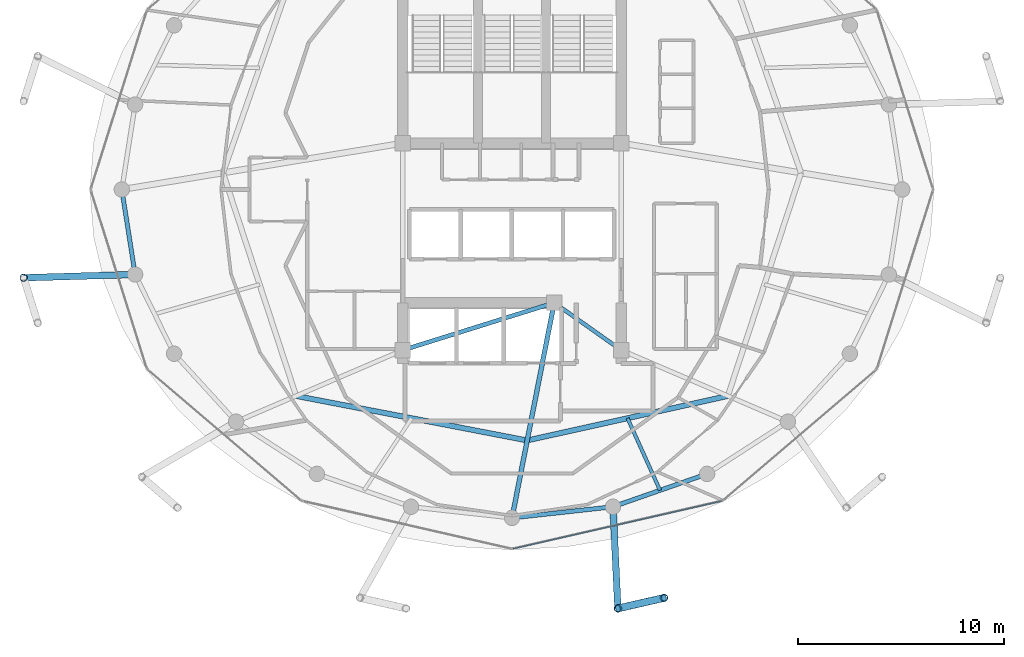
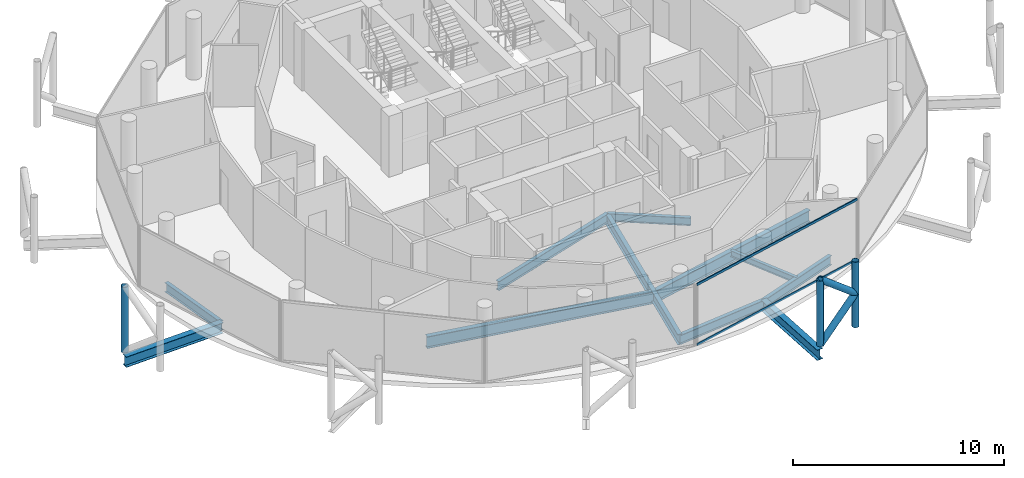
# One storey, part 5 of 24: 11 beams, 7 members, 1 element without a shape of its own.
"""IFC4 building model written with IfcOpenShell, lengths in metres."""

from ifc_helpers import new_model, si_unit, direction, frame, origin, origin_2d, place, context, subcontext, project, spatial, hollow_rectangle, hollow_circle, i_section, extrude, material, layer, layer_set, material_profile, profile_set, type_object, element, aggregate, save


model = new_model("IFC4")

# Units and contexts
model_context = context("Model", 3, precision=1e-05, world=origin(), true_north=direction((0.0, 1.0)))
body_context = subcontext(model_context, "Body", "Model", "MODEL_VIEW")
ifc_project = project(units=[si_unit("LENGTHUNIT", "METRE"), si_unit("AREAUNIT", "SQUARE_METRE"), si_unit("VOLUMEUNIT", "CUBIC_METRE"), si_unit("PLANEANGLEUNIT", "RADIAN"), si_unit("MASSUNIT", "GRAM", prefix="KILO")], contexts=[model_context])

# Site, building, storey
site_placement = place(None, origin())
site = spatial("IfcSite", under=ifc_project, at=site_placement, CompositionType="ELEMENT")
building_placement = place(site_placement, origin())
building = spatial("IfcBuilding", under=site, at=building_placement, Name="Nuhasar Tower", CompositionType="ELEMENT")
storey_placement = place(building_placement, frame((0.0, 0.0, 263.199951171875)))
storey = spatial("IfcBuildingStorey", under=building, at=storey_placement, Name="L65", CompositionType="ELEMENT", Elevation=263.199951171875)

# Beams
ifc_material_1 = material(Name="Steel S355", Category="steel")
ifc_material_profile_1 = material_profile(ifc_material_1, i_section(OverallWidth=0.25390625, OverallDepth=0.68408203125, WebThickness=0.012451171875, FlangeThickness=0.018798828125, at=origin_2d()), Name="W27X94")
ifc_profile_set_1 = profile_set([ifc_material_profile_1], Name="Steel S355")
beam_type_1 = type_object("IfcBeamType", Name="BM-INRING-W27X94", PredefinedType="BEAM", material=ifc_profile_set_1)
beam_1_placement = place(storey_placement, frame((28.51611328125, 16.77392578125, -0.60205078125), z_axis=(0.981944682954, -0.189168283859, 0.0), x_axis=(0.189168283859, 0.981944682954, 0.0)))
element("IfcBeam", 1, at=beam_1_placement, inside=storey, type_object=beam_type_1, Name="L65 Inner Header Beam 01", PredefinedType="BEAM", context=body_context, shape_type="SweptSolid", body=[
    extrude(i_section(OverallWidth=0.25390625, OverallDepth=0.68408203125, WebThickness=0.012451171875, FlangeThickness=0.018798828125, at=origin_2d()), origin(), (0.0, 0.0, 1.0), 11.42822265625),
])
beam_2_placement = place(storey_placement, frame((39.738037109375, 14.612060546875, -0.60205078125), z_axis=(0.97626927806, 0.216560145726, 0.0), x_axis=(-0.216560145726, 0.97626927806, 0.0)))
element("IfcBeam", 2, at=beam_2_placement, inside=storey, type_object=beam_type_1, Name="L65 Inner Header Beam 02", PredefinedType="BEAM", context=body_context, shape_type="SweptSolid", body=[
    extrude(i_section(OverallWidth=0.25390625, OverallDepth=0.68408203125, WebThickness=0.012451171875, FlangeThickness=0.018798828125, at=origin_2d()), origin(), (0.0, 0.0, 1.0), 9.982666015625),
])
ifc_material_profile_2 = material_profile(ifc_material_1, i_section(OverallWidth=0.1708984375, OverallDepth=0.35205078125, WebThickness=0.0068359375, FlangeThickness=0.009765625, at=origin_2d()), Name="W14X30")
ifc_profile_set_2 = profile_set([ifc_material_profile_2], Name="Steel S355")
beam_type_2 = type_object("IfcBeamType", Name="BM-JST-W14X30", PredefinedType="JOIST", material=ifc_profile_set_2)
beam_3_placement = place(storey_placement, frame((44.611083984375, 15.693115234375, -0.43603515625), z_axis=(0.41089033708, -0.911684776057, 0.0), x_axis=(0.911684776057, 0.41089033708, 0.0)))
element("IfcBeam", 3, at=beam_3_placement, inside=storey, type_object=beam_type_2, Name="L65 Secondary Floor Joist 02", PredefinedType="JOIST", context=body_context, shape_type="SweptSolid", body=[
    extrude(i_section(OverallWidth=0.1708984375, OverallDepth=0.35205078125, WebThickness=0.0068359375, FlangeThickness=0.009765625, at=origin_2d()), origin(), (0.0, 0.0, 1.0), 3.842529296875),
])
ifc_material_profile_3 = material_profile(ifc_material_1, i_section(OverallWidth=0.18994140625, OverallDepth=0.45703125, WebThickness=0.009033203125, FlangeThickness=0.014404296875, at=origin_2d()), Name="W18X50")
ifc_profile_set_3 = profile_set([ifc_material_profile_3], Name="Steel S355")
beam_type_3 = type_object("IfcBeamType", Name="BM-RAD-W18X50", PredefinedType="BEAM", material=ifc_profile_set_3)
beam_4_placement = place(storey_placement, frame((41.050048828125, 21.300048828125, -0.488037109375), z_axis=(0.816265428953, -0.577677028708, 0.0), x_axis=(0.577677028708, 0.816265428953, 0.0)))
element("IfcBeam", 4, at=beam_4_placement, inside=storey, type_object=beam_type_3, Name="L65 Core Ring Girder 2", PredefinedType="BEAM", context=body_context, shape_type="SweptSolid", body=[
    extrude(i_section(OverallWidth=0.18994140625, OverallDepth=0.45703125, WebThickness=0.009033203125, FlangeThickness=0.014404296875, at=origin_2d()), origin(), (0.0, 0.0, 1.0), 3.9814453125),
])
ifc_material_profile_4 = material_profile(ifc_material_1, i_section(OverallWidth=0.208984375, OverallDepth=0.528076171875, WebThickness=0.009521484375, FlangeThickness=0.01318359375, at=origin_2d()), Name="W21X55")
ifc_profile_set_4 = profile_set([ifc_material_profile_4], Name="Steel S355")
beam_type_4 = type_object("IfcBeamType", Name="BM-RAD-W21X55", PredefinedType="BEAM", material=ifc_profile_set_4)
beam_5_placement = place(storey_placement, frame((33.699951171875, 19.0, -0.52392578125), z_axis=(0.954363709454, 0.298646798205, 0.0), x_axis=(-0.298646798205, 0.954363709454, 0.0)))
element("IfcBeam", 5, at=beam_5_placement, inside=storey, type_object=beam_type_4, Name="L65 Core Ring Girder 1", PredefinedType="BEAM", context=body_context, shape_type="SweptSolid", body=[
    extrude(i_section(OverallWidth=0.208984375, OverallDepth=0.528076171875, WebThickness=0.009521484375, FlangeThickness=0.01318359375, at=origin_2d()), origin(), (0.0, 0.0, 1.0), 7.70166015625),
])
ifc_material_profile_5 = material_profile(ifc_material_1, i_section(OverallWidth=0.22900390625, OverallDepth=0.612060546875, WebThickness=0.011962890625, FlangeThickness=0.01953125, at=origin_2d()), Name="W24X84")
ifc_profile_set_5 = profile_set([ifc_material_profile_5], Name="Steel S355")
beam_type_5 = type_object("IfcBeamType", Name="BM-RAD-W24X84", PredefinedType="BEAM", material=ifc_profile_set_5)
beam_6_placement = place(storey_placement, frame((41.050048828125, 21.300048828125, -0.56591796875), z_axis=(-0.192508395576, -0.981295326409, 0.0), x_axis=(0.981295326409, -0.192508395576, 0.0)))
element("IfcBeam", 6, at=beam_6_placement, inside=storey, type_object=beam_type_5, Name="L65 Radial Floor Girder 02", PredefinedType="BEAM", context=body_context, shape_type="SweptSolid", body=[
    extrude(i_section(OverallWidth=0.22900390625, OverallDepth=0.612060546875, WebThickness=0.011962890625, FlangeThickness=0.01953125, at=origin_2d()), origin(), (0.0, 0.0, 1.0), 10.649169921875),
])
ifc_material_profile_6 = material_profile(ifc_material_1, i_section(OverallWidth=0.2099609375, OverallDepth=0.537109375, WebThickness=0.010986328125, FlangeThickness=0.017333984375, at=origin_2d()), Name="W21X68")
ifc_profile_set_6 = profile_set([ifc_material_profile_6], Name="Steel S355")
beam_type_6 = type_object("IfcBeamType", Name="BM-RING-W21X68", PredefinedType="SPANDREL", material=ifc_profile_set_6)
beam_7_placement = place(storey_placement, frame((20.050048828125, 26.800048828125, -0.529052734375), z_axis=(0.154612165232, -0.987975241776, 0.0), x_axis=(0.987975241776, 0.154612165232, 0.0)))
element("IfcBeam", 7, at=beam_7_placement, inside=storey, type_object=beam_type_6, Name="L65 Perimeter Ring Spandrel 13", PredefinedType="SPANDREL", context=body_context, shape_type="SweptSolid", body=[
    extrude(i_section(OverallWidth=0.2099609375, OverallDepth=0.537109375, WebThickness=0.010986328125, FlangeThickness=0.017333984375, at=origin_2d()), origin(), (0.0, 0.0, 1.0), 4.17822265625),
])
beam_8_placement = place(storey_placement, frame((39.0, 10.85009765625, -0.529052734375), z_axis=(0.99392889943, 0.110024283128, 0.0), x_axis=(-0.110024283128, 0.99392889943, 0.0)))
element("IfcBeam", 8, at=beam_8_placement, inside=storey, type_object=beam_type_6, Name="L65 Perimeter Ring Spandrel 19", PredefinedType="SPANDREL", context=body_context, shape_type="SweptSolid", body=[
    extrude(i_section(OverallWidth=0.2099609375, OverallDepth=0.537109375, WebThickness=0.010986328125, FlangeThickness=0.017333984375, at=origin_2d()), origin(), (0.0, 0.0, 1.0), 4.93505859375),
])
beam_9_placement = place(storey_placement, frame((43.905029296875, 11.39306640625, -0.529052734375), z_axis=(0.944214043504, 0.329332415729, 0.0), x_axis=(-0.329332415729, 0.944214043504, 0.0)))
element("IfcBeam", 9, at=beam_9_placement, inside=storey, type_object=beam_type_6, Name="L65 Perimeter Ring Spandrel 20", PredefinedType="SPANDREL", context=body_context, shape_type="SweptSolid", body=[
    extrude(i_section(OverallWidth=0.2099609375, OverallDepth=0.537109375, WebThickness=0.010986328125, FlangeThickness=0.017333984375, at=origin_2d()), origin(), (0.0, 0.0, 1.0), 4.840087890625),
])
ifc_material_profile_7 = material_profile(ifc_material_1, i_section(OverallWidth=0.323974609375, OverallDepth=0.611083984375, WebThickness=0.0126953125, FlangeThickness=0.01904296875, at=origin_2d()), Name="W24X104")
ifc_profile_set_7 = profile_set([ifc_material_profile_7], Name="Steel S355")
beam_type_7 = type_object("IfcBeamType", Name="BM-TIE-W24X104", PredefinedType="BEAM", material=ifc_profile_set_7)
beam_10_placement = place(storey_placement, frame((20.696044921875, 22.672119140625, -0.56494140625), z_axis=(-0.999573346236, -0.029208312065, 0.0), x_axis=(0.029208312065, -0.999573346236, 0.0)))
element("IfcBeam", 10, at=beam_10_placement, inside=storey, type_object=beam_type_7, Name="L65 Exoskeleton Node Tie Beam 07", PredefinedType="BEAM", context=body_context, shape_type="SweptSolid", body=[
    extrude(i_section(OverallWidth=0.323974609375, OverallDepth=0.611083984375, WebThickness=0.0126953125, FlangeThickness=0.01904296875, at=origin_2d()), origin(), (0.0, 0.0, 1.0), 5.416259765625),
])
beam_11_placement = place(storey_placement, frame((43.905029296875, 11.39306640625, -0.56494140625), z_axis=(0.048109027225, -0.998842090372, 0.0), x_axis=(0.998842090372, 0.048109027225, 0.0)))
element("IfcBeam", 11, at=beam_11_placement, inside=storey, type_object=beam_type_7, Name="L65 Exoskeleton Node Tie Beam 10", PredefinedType="BEAM", context=body_context, shape_type="SweptSolid", body=[
    extrude(i_section(OverallWidth=0.323974609375, OverallDepth=0.611083984375, WebThickness=0.0126953125, FlangeThickness=0.01904296875, at=origin_2d()), origin(), (0.0, 0.0, 1.0), 4.94775390625),
])

# Curtain wall, members
ifc_material_2 = material(Name="Aluminium 6063-T6", Category="aluminium")
ifc_layer = layer(ifc_material_2, 0.18994140625)
ifc_layer_set = layer_set([ifc_layer], Name="Aluminium 6063-T6")
curtain_wall_type = type_object("IfcCurtainWallType", Name="CW-Z4-PEN", PredefinedType="NOTDEFINED", material=ifc_layer_set)
curtain_wall_placement = place(storey_placement, origin())
curtain_wall = element("IfcCurtainWall", 12, at=curtain_wall_placement, inside=storey, type_object=curtain_wall_type, Name="L65 Unitised Curtain Wall 10", PredefinedType="NOTDEFINED")
ifc_material_profile_8 = material_profile(ifc_material_2, hollow_rectangle(XDim=0.06005859375, YDim=0.135009765625, WallThickness=0.00439453125, at=origin_2d()), Name="CWT-5")
ifc_profile_set_8 = profile_set([ifc_material_profile_8], Name="Aluminium 6063-T6")
member_type_1 = type_object("IfcMemberType", Name="CW-TRN-S5", PredefinedType="USERDEFINED", material=ifc_profile_set_8)
member_1_placement = place(storey_placement, frame((39.05859375, 9.353271484375, 0.030029296875), z_axis=(0.974843752401, 0.222889341163, 0.0), x_axis=(-0.222889341163, 0.974843752401, 0.0)))
member_1 = element("IfcMember", 13, at=member_1_placement, type_object=member_type_1, Name="CW-Z4 transom 1.1", ObjectType="TRANSOM", PredefinedType="USERDEFINED", context=body_context, shape_type="SweptSolid", body=[
    extrude(hollow_rectangle(XDim=0.06005859375, YDim=0.135009765625, WallThickness=0.00439453125, at=origin_2d()), origin(), (0.0, 0.0, 1.0), 10.3740234375),
])
member_2_placement = place(storey_placement, frame((39.05859375, 9.353271484375, 3.510009765625), z_axis=(0.974843752401, 0.222889341163, 0.0), x_axis=(-0.222889341163, 0.974843752401, 0.0)))
member_2 = element("IfcMember", 14, at=member_2_placement, type_object=member_type_1, Name="CW-Z4 transom 1.2", ObjectType="TRANSOM", PredefinedType="USERDEFINED", context=body_context, shape_type="SweptSolid", body=[
    extrude(hollow_rectangle(XDim=0.06005859375, YDim=0.135009765625, WallThickness=0.00439453125, at=origin_2d()), origin(), (0.0, 0.0, 1.0), 10.3740234375),
])
aggregate(curtain_wall, [member_1, member_2])

# Members
ifc_material_3 = material(Name="Steel S460", Category="steel")
ifc_material_profile_9 = material_profile(ifc_material_3, hollow_circle(Radius=0.177734375, WallThickness=0.015869140625, at=origin_2d()), Name="HSS355.6X15.9")
ifc_profile_set_9 = profile_set([ifc_material_profile_9], Name="Steel S460")
member_type_2 = type_object("IfcMemberType", Name="EXO-BRONZE-356", PredefinedType="BRACE", material=ifc_profile_set_9)
for number, where, z_axis, x_axis, name in (
    (15, (15.281982421875, 22.513916015625, 0.0), (0.0, 0.0, 1.0), (1.0, 0.0, 0.0), "L65 Exoskeleton Chord Column EC-07A"),
    (16, (44.14306640625, 6.450927734375, 0.0), (0.0, 0.0, 1.0), (1.0, 0.0, 0.0), "L65 Exoskeleton Chord Column EC-10A"),
    (17, (46.384033203125, 6.967041015625, 0.0), (0.0, 0.0, 1.0), (1.0, 0.0, 0.0), "L65 Exoskeleton Chord Column EC-10B"),
):
    element("IfcMember", number, at=place(storey_placement, frame(where, z_axis=z_axis, x_axis=x_axis)), inside=storey, type_object=member_type_2, Name=name, PredefinedType="BRACE", context=body_context, shape_type="SweptSolid", body=[
        extrude(hollow_circle(Radius=0.177734375, WallThickness=0.015869140625, at=origin_2d()), origin(), (0.0, 0.0, 1.0), 3.800048828125),
    ])
member_3_placement = place(storey_placement, frame((44.14306640625, 6.450927734375, 0.0), z_axis=(0.751221815951, 0.173012628709, 0.636971281571), x_axis=(-0.224433035437, 0.97448951385, 0.0)))
element("IfcMember", 18, at=member_3_placement, inside=storey, type_object=member_type_2, Name="L65 Bronze Diagrid Brace W1-10", PredefinedType="BRACE", context=body_context, shape_type="SweptSolid", body=[
    extrude(hollow_circle(Radius=0.177734375, WallThickness=0.015869140625, at=origin_2d()), origin(), (0.0, 0.0, 1.0), 2.983154296875),
])
member_4_placement = place(storey_placement, frame((46.384033203125, 6.967041015625, 1.900146484375), z_axis=(-0.751260978137, -0.173021648086, 0.636922642103), x_axis=(0.224433035437, -0.97448951385, 0.0)))
element("IfcMember", 19, at=member_4_placement, inside=storey, type_object=member_type_2, Name="L65 Bronze Diagrid Brace W2-10", PredefinedType="BRACE", context=body_context, shape_type="SweptSolid", body=[
    extrude(hollow_circle(Radius=0.177734375, WallThickness=0.015869140625, at=origin_2d()), origin(), (0.0, 0.0, 1.0), 2.98291015625),
])

save(model, "model.ifc")
